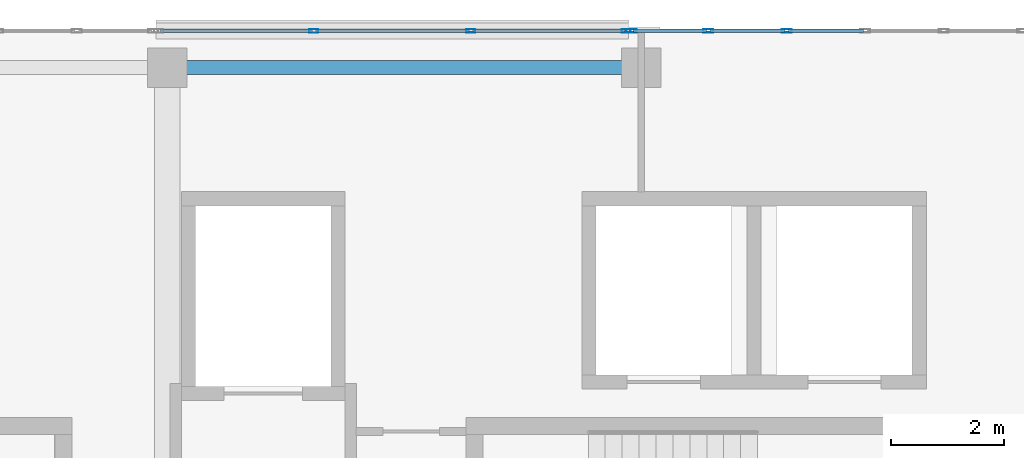
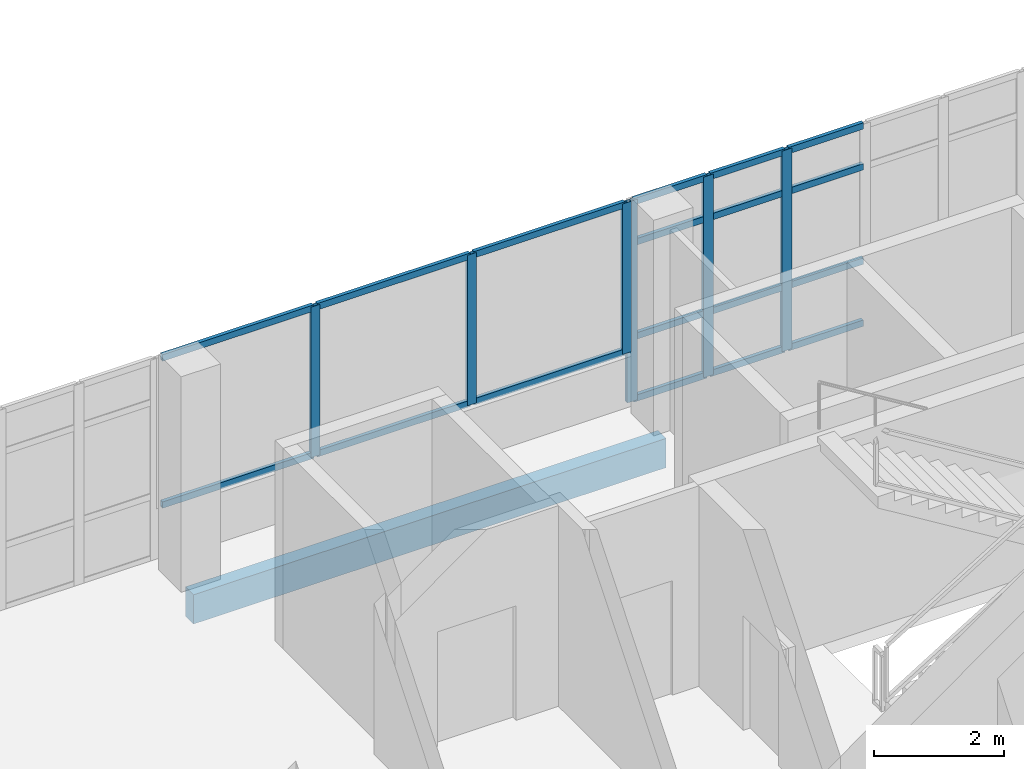
# One storey, part 48 of 101: 24 members, 1 beam, 2 elements without a shape of their own.
"""IFC4 building model written with IfcOpenShell, lengths in metres."""

import ifcopenshell
import ifcopenshell.guid

model = None  # the IFC model being written
_history = None  # IfcOwnerHistory: only IFC2X3 demands one
_inside = {}  # id of a spatial element -> (the spatial element, [elements in it])
_under = {}  # id of a project, library or spatial element -> (it, [spatial elements below it])
_declared = {}  # id of a project -> (the project, [libraries it declares])
_typed = {}  # id of a type object -> (the type object, [elements of that type])
_made_of = {}  # id of a material, layer set ... -> (it, [elements and type objects made of it])


def new_model(schema):
    """Start an empty IFC model of exactly this schema.

    Asked for "IFC4X3", IfcOpenShell would pick the latest addendum, in which some entities
    have other attributes; the version numbers below select the first issue.
    IFC2X3 requires an IfcOwnerHistory on every rooted entity: one is made here for all.
    """
    global model, _history
    if schema == "IFC4X3":
        model = ifcopenshell.file(schema_version=(4, 3, 0, 0))
    else:
        model = ifcopenshell.file(schema=schema)
    _inside.clear()
    _under.clear()
    _declared.clear()
    _typed.clear()
    _made_of.clear()
    _history = None
    if model.schema == "IFC2X3":
        org = make("IfcOrganization", Name="unknown")
        user = make(
            "IfcPersonAndOrganization",
            ThePerson=make("IfcPerson", FamilyName="unknown"),
            TheOrganization=org,
        )
        app = make(
            "IfcApplication",
            ApplicationDeveloper=org,
            Version="unknown",
            ApplicationFullName="unknown",
            ApplicationIdentifier="unknown",
        )
        _history = make(
            "IfcOwnerHistory",
            OwningUser=user,
            OwningApplication=app,
            ChangeAction="ADDED",
            CreationDate=0,
        )
    return model


def make(cls, **values):
    """One entity of the class cls with the attributes given. An attribute that is None is left unset."""
    return model.create_entity(
        cls, **{name: value for name, value in values.items() if value is not None}
    )


def rooted(cls, **values):
    """An entity with a GlobalId (a new one), such as an element, a storey or a relation."""
    return make(cls, GlobalId=ifcopenshell.guid.new(), OwnerHistory=_history, **values)


def si_unit(unit_type, name, prefix=None):
    """IfcSIUnit, for example si_unit("LENGTHUNIT", "METRE", prefix="MILLI")."""
    return make("IfcSIUnit", UnitType=unit_type, Prefix=prefix, Name=name)


def assignment(units):
    """IfcUnitAssignment: the units of a project."""
    return None if units is None else make("IfcUnitAssignment", Units=units)


def point(xyz):
    """IfcCartesianPoint."""
    return None if xyz is None else make("IfcCartesianPoint", Coordinates=xyz)


def direction(xyz):
    """IfcDirection."""
    return None if xyz is None else make("IfcDirection", DirectionRatios=xyz)


def frame(location, z_axis=None, x_axis=None):
    """IfcAxis2Placement3D, a coordinate frame: its origin and axes. An axis left out is left unset."""
    return make(
        "IfcAxis2Placement3D",
        Location=point(location),
        Axis=direction(z_axis),
        RefDirection=direction(x_axis),
    )


def frame_2d(location, x_axis=None):
    """IfcAxis2Placement2D, a coordinate frame in the plane: its origin and x axis."""
    return make(
        "IfcAxis2Placement2D", Location=point(location), RefDirection=direction(x_axis)
    )


def origin():
    """The frame at (0, 0, 0) with its axes left unset."""
    return frame((0.0, 0.0, 0.0))


def origin_2d():
    """The frame at (0, 0) in the plane with its x axis left unset."""
    return frame_2d((0.0, 0.0))


def place(relative_to, where):
    """IfcLocalPlacement: puts the frame where relative to a parent placement (None: the world)."""
    return make(
        "IfcLocalPlacement", PlacementRelTo=relative_to, RelativePlacement=where
    )


def context(
    kind, dimensions, precision=None, world=None, true_north=None, identifier=None
):
    """IfcGeometricRepresentationContext, for example the 3D "Model" context."""
    return make(
        "IfcGeometricRepresentationContext",
        ContextIdentifier=identifier,
        ContextType=kind,
        CoordinateSpaceDimension=dimensions,
        Precision=precision,
        WorldCoordinateSystem=world,
        TrueNorth=true_north,
    )


def subcontext(parent, identifier, kind, view, scale=None):
    """IfcGeometricRepresentationSubContext, for example "Body" below "Model"."""
    return make(
        "IfcGeometricRepresentationSubContext",
        ContextIdentifier=identifier,
        ContextType=kind,
        ParentContext=parent,
        TargetScale=scale,
        TargetView=view,
    )


def project(units=None, contexts=None):
    """IfcProject with its units and contexts."""
    return rooted(
        "IfcProject",
        Name="project",
        RepresentationContexts=contexts,
        UnitsInContext=assignment(units),
    )


def spatial(cls, under=None, at=None, **own):
    """A site, building, storey or space (cls), placed at a placement, below another one or the project."""
    s = rooted(cls, ObjectPlacement=at, **own)
    if under is not None:
        _under.setdefault(under.id(), (under, []))[1].append(s)
    return s


def profile(cls, at=None, kind="AREA", **sizes):
    """A parametric profile (cls). Its sizes go by their IFC names, for example OverallWidth=200.0."""
    return make(cls, ProfileType=kind, Position=at, **sizes)


def rectangle(**sizes):
    """IfcRectangleProfileDef."""
    return profile("IfcRectangleProfileDef", **sizes)


def hollow_rectangle(**sizes):
    """IfcRectangleHollowProfileDef."""
    return profile("IfcRectangleHollowProfileDef", **sizes)


def extrude(swept, where, along, depth):
    """IfcExtrudedAreaSolid: the profile swept, set in the frame where, extruded along a direction by depth."""
    return make(
        "IfcExtrudedAreaSolid",
        SweptArea=swept,
        Position=where,
        ExtrudedDirection=direction(along),
        Depth=depth,
    )


def shape(context_of_items, identifier, shape_type, items):
    """IfcShapeRepresentation: the items that make up one representation, for example the "Body"."""
    return make(
        "IfcShapeRepresentation",
        ContextOfItems=context_of_items,
        RepresentationIdentifier=identifier,
        RepresentationType=shape_type,
        Items=items,
    )


def material(Name=None, Category=None):
    """IfcMaterial."""
    return make("IfcMaterial", Name=Name, Category=Category)


def material_profile(
    of_material, cross_section, Name=None, Category=None, Priority=None
):
    """IfcMaterialProfile: a cross section and its material."""
    return make(
        "IfcMaterialProfile",
        Name=Name,
        Material=of_material,
        Profile=cross_section,
        Priority=Priority,
        Category=Category,
    )


def profile_set(profiles, Name=None, composite=None):
    """IfcMaterialProfileSet."""
    return make(
        "IfcMaterialProfileSet",
        Name=Name,
        MaterialProfiles=profiles,
        CompositeProfile=composite,
    )


def made_of(thing, what):
    """Note that an element or type object is made of a material, layer set ...; save() writes the relation."""
    if what is not None:
        _made_of.setdefault(what.id(), (what, []))[1].append(thing)
    return thing


def type_object(cls, material=None, **own):
    """A type object (cls), such as IfcWallType, which elements share."""
    return made_of(rooted(cls, **own), material)


def element(
    cls,
    number,
    at=None,
    inside=None,
    cuts=None,
    type_object=None,
    material=None,
    context=None,
    identifier="Body",
    shape_type=None,
    held_by="IfcProductDefinitionShape",
    body=None,
    shapes=None,
    **own,
):
    """One element of the class cls, such as IfcWall. Its Tag is "e" and its number.

    at: its placement. inside: the storey or other place that contains it. cuts: it is an
    opening in that element (IfcRelVoidsElement). A single representation is given by context,
    identifier, shape_type and body (its items); several are given by shapes. held_by: the class
    of the entity that holds the representations. save() writes the other relations.
    """
    e = rooted(cls, Tag="e%d" % number, ObjectPlacement=at, **own)
    if body is not None:
        shapes = [shape(context, identifier, shape_type, body)]
    if shapes is not None:
        e.Representation = make(held_by, Representations=shapes)
    if inside is not None:
        _inside.setdefault(inside.id(), (inside, []))[1].append(e)
    if cuts is not None:
        rooted(
            "IfcRelVoidsElement", RelatingBuildingElement=cuts, RelatedOpeningElement=e
        )
    if type_object is not None:
        _typed.setdefault(type_object.id(), (type_object, []))[1].append(e)
    return made_of(e, material)


def aggregate(whole, parts):
    """IfcRelAggregates: a whole, such as a stair, and the parts it consists of."""
    return rooted("IfcRelAggregates", RelatingObject=whole, RelatedObjects=parts)


def save(model, path):
    """Write the relations noted so far, then the file.

    IfcRelAggregates (storeys below a building ...), IfcRelContainedInSpatialStructure (elements
    in a storey), IfcRelDefinesByType, IfcRelAssociatesMaterial and IfcRelDeclares: one each for
    every whole, place, type object, material and project.
    """
    for whole, parts in _under.values():
        aggregate(whole, parts)
    for where, things in _inside.values():
        rooted(
            "IfcRelContainedInSpatialStructure",
            RelatedElements=things,
            RelatingStructure=where,
        )
    for kind, things in _typed.values():
        rooted("IfcRelDefinesByType", RelatedObjects=things, RelatingType=kind)
    for what, things in _made_of.values():
        rooted("IfcRelAssociatesMaterial", RelatedObjects=things, RelatingMaterial=what)
    for by, libraries in _declared.values():
        rooted("IfcRelDeclares", RelatingContext=by, RelatedDefinitions=libraries)
    model.write(path)


model = new_model("IFC4")

# Units and contexts
model_context = context("Model", 3, precision=1e-05, world=origin(), true_north=direction((0.0, 1.0)))
body_context = subcontext(model_context, "Body", "Model", "MODEL_VIEW")
ifc_project = project(units=[si_unit("LENGTHUNIT", "METRE"), si_unit("AREAUNIT", "SQUARE_METRE"), si_unit("VOLUMEUNIT", "CUBIC_METRE"), si_unit("PLANEANGLEUNIT", "RADIAN"), si_unit("MASSUNIT", "GRAM", prefix="KILO")], contexts=[model_context])

# Site, building, storey
site_placement = place(None, origin())
site = spatial("IfcSite", under=ifc_project, at=site_placement, CompositionType="ELEMENT")
building_placement = place(site_placement, origin())
building = spatial("IfcBuilding", under=site, at=building_placement, Name="Selatvlak General Hospital", CompositionType="ELEMENT")
storey_placement = place(building_placement, frame((0.0, 0.0, 19.199951171875)))
storey = spatial("IfcBuildingStorey", under=building, at=storey_placement, Name="L04", CompositionType="ELEMENT", Elevation=19.199951171875)

# Beam
ifc_material_1 = material(Name="Concrete C40/50", Category="concrete")
ifc_material_profile_1 = material_profile(ifc_material_1, rectangle(XDim=0.25, YDim=0.550048828125, at=origin_2d()), Name="RC-SP 250x550")
ifc_profile_set_1 = profile_set([ifc_material_profile_1], Name="Concrete C40/50")
beam_type = type_object("IfcBeamType", Name="BM-SP2", PredefinedType="SPANDREL", material=ifc_profile_set_1)
beam_placement = place(storey_placement, frame((98.39990234375, 119.35009765625, -0.579833984375), z_axis=(1.0, 0.0, 0.0), x_axis=(0.0, 1.0, 0.0)))
element("IfcBeam", 1, at=beam_placement, inside=storey, type_object=beam_type, Name="Beam BMR-L04-1635", PredefinedType="SPANDREL", context=body_context, shape_type="SweptSolid", body=[
    extrude(rectangle(XDim=0.25, YDim=0.550048828125, at=origin_2d()), origin(), (0.0, 0.0, 1.0), 8.400146484375),
])

# Curtain wall, members
ifc_material_2 = material(Name="Solar-control Low-E double glazing", Category="glass")
curtain_wall_type_1 = type_object("IfcCurtainWallType", Name="CW-CW-02", PredefinedType="USERDEFINED", material=ifc_material_2)
curtain_wall_1_placement = place(storey_placement, origin())
curtain_wall_1 = element("IfcCurtainWall", 2, at=curtain_wall_1_placement, inside=storey, type_object=curtain_wall_type_1, Name="Glazed facade curtain wall CW-L04-0490", ObjectType="UNITISED CURTAIN WALL", PredefinedType="USERDEFINED")
ifc_material_3 = material(Name="Dark anodised aluminium mullion", Category="aluminium")
ifc_material_profile_2 = material_profile(ifc_material_3, hollow_rectangle(XDim=0.06494140625, YDim=0.159912109375, WallThickness=0.00390625, at=origin_2d()), Name="AL-MUL 65x160x4")
ifc_profile_set_2 = profile_set([ifc_material_profile_2], Name="Dark anodised aluminium mullion")
member_type_1 = type_object("IfcMemberType", Name="CWM-01", PredefinedType="MULLION", material=ifc_profile_set_2)
member_1_placement = place(storey_placement, frame((100.998046875, 119.999267578125, 0.93994140625), z_axis=(0.0, 0.0, 1.0), x_axis=(-0.000119774825, 0.999999992827, 0.0)))
member_1 = element("IfcMember", 3, at=member_1_placement, type_object=member_type_1, Name="CW-02 mullion 2", PredefinedType="MULLION", context=body_context, shape_type="SweptSolid", body=[
    extrude(hollow_rectangle(XDim=0.06494140625, YDim=0.159912109375, WallThickness=0.00390625, at=origin_2d()), origin(), (0.0, 0.0, 1.0), 2.830078125),
])
member_2_placement = place(storey_placement, frame((103.781005859375, 119.999755859375, 0.93994140625), z_axis=(0.0, 0.0, 1.0), x_axis=(-0.000119774825, 0.999999992827, 0.0)))
member_2 = element("IfcMember", 4, at=member_2_placement, type_object=member_type_1, Name="CW-02 mullion 3", PredefinedType="MULLION", context=body_context, shape_type="SweptSolid", body=[
    extrude(hollow_rectangle(XDim=0.06494140625, YDim=0.159912109375, WallThickness=0.00390625, at=origin_2d()), origin(), (0.0, 0.0, 1.0), 2.830078125),
])
member_3_placement = place(storey_placement, frame((106.531494140625, 120.0, 0.93994140625), z_axis=(0.0, 0.0, 1.0), x_axis=(-0.000119774825, 0.999999992827, 0.0)))
member_3 = element("IfcMember", 5, at=member_3_placement, type_object=member_type_1, Name="CW-02 mullion 4", PredefinedType="MULLION", context=body_context, shape_type="SweptSolid", body=[
    extrude(hollow_rectangle(XDim=0.06494140625, YDim=0.159912109375, WallThickness=0.00390625, at=origin_2d()), origin(), (0.0, 0.0, 1.0), 2.830078125),
])

curtain_wall_type_2 = type_object("IfcCurtainWallType", Name="CW-CW-04", PredefinedType="USERDEFINED", material=ifc_material_2)
curtain_wall_2_placement = place(storey_placement, origin())
curtain_wall_2 = element("IfcCurtainWall", 6, at=curtain_wall_2_placement, inside=storey, type_object=curtain_wall_type_2, Name="Glazed facade curtain wall CW-L04-0491", ObjectType="STICK GLAZING WALL", PredefinedType="USERDEFINED")
ifc_material_profile_3 = material_profile(ifc_material_3, hollow_rectangle(XDim=0.06494140625, YDim=0.179931640625, WallThickness=0.00439453125, at=origin_2d()), Name="AL-MUL 65x180x4.5")
ifc_profile_set_3 = profile_set([ifc_material_profile_3], Name="Dark anodised aluminium mullion")
member_type_2 = type_object("IfcMemberType", Name="CWM-02", PredefinedType="MULLION", material=ifc_profile_set_3)
member_4_placement = place(storey_placement, frame((106.62646484375, 120.0, 0.0), z_axis=(0.0, 0.0, 1.0), x_axis=(0.0, 1.0, 0.0)))
member_4 = element("IfcMember", 7, at=member_4_placement, type_object=member_type_2, Name="CW-04 mullion 1", PredefinedType="MULLION", context=body_context, shape_type="SweptSolid", body=[
    extrude(hollow_rectangle(XDim=0.06494140625, YDim=0.179931640625, WallThickness=0.00439453125, at=origin_2d()), origin(), (0.0, 0.0, 1.0), 3.77001953125),
])
member_5_placement = place(storey_placement, frame((107.985595703125, 120.0, 0.0), z_axis=(0.0, 0.0, 1.0), x_axis=(0.0, 1.0, 0.0)))
member_5 = element("IfcMember", 8, at=member_5_placement, type_object=member_type_2, Name="CW-04 mullion 2", PredefinedType="MULLION", context=body_context, shape_type="SweptSolid", body=[
    extrude(hollow_rectangle(XDim=0.06494140625, YDim=0.179931640625, WallThickness=0.00439453125, at=origin_2d()), origin(), (0.0, 0.0, 1.0), 3.77001953125),
])
member_6_placement = place(storey_placement, frame((109.37744140625, 120.0, 0.0), z_axis=(0.0, 0.0, 1.0), x_axis=(0.0, 1.0, 0.0)))
member_6 = element("IfcMember", 9, at=member_6_placement, type_object=member_type_2, Name="CW-04 mullion 3", PredefinedType="MULLION", context=body_context, shape_type="SweptSolid", body=[
    extrude(hollow_rectangle(XDim=0.06494140625, YDim=0.179931640625, WallThickness=0.00439453125, at=origin_2d()), origin(), (0.0, 0.0, 1.0), 3.77001953125),
])

# Member
ifc_material_profile_4 = material_profile(ifc_material_3, hollow_rectangle(XDim=0.06494140625, YDim=0.1201171875, WallThickness=0.00390625, at=origin_2d()), Name="AL-TRN 65x120x4")
ifc_profile_set_4 = profile_set([ifc_material_profile_4], Name="Dark anodised aluminium mullion")
member_type_3 = type_object("IfcMemberType", Name="CWT-01", PredefinedType="USERDEFINED", material=ifc_profile_set_4)
member_7_placement = place(storey_placement, frame((98.280029296875, 119.9990234375, 0.97265625), z_axis=(0.999999995868, 9.0909091e-05, 0.0), x_axis=(-9.0909091e-05, 0.999999995868, 0.0)))
member_7 = element("IfcMember", 10, at=member_7_placement, type_object=member_type_3, Name="CW-02 transom 1.1", ObjectType="TRANSOM", PredefinedType="USERDEFINED", context=body_context, shape_type="SweptSolid", body=[
    extrude(hollow_rectangle(XDim=0.06494140625, YDim=0.1201171875, WallThickness=0.00390625, at=origin_2d()), origin(), (0.0, 0.0, 1.0), 2.685546875),
])

member_8_placement = place(storey_placement, frame((98.280029296875, 119.9990234375, 3.737548828125), z_axis=(0.999999995868, 9.0909091e-05, 0.0), x_axis=(-9.0909091e-05, 0.999999995868, 0.0)))
member_8 = element("IfcMember", 11, at=member_8_placement, type_object=member_type_3, Name="CW-02 transom 1.2", ObjectType="TRANSOM", PredefinedType="USERDEFINED", context=body_context, shape_type="SweptSolid", body=[
    extrude(hollow_rectangle(XDim=0.06494140625, YDim=0.1201171875, WallThickness=0.00390625, at=origin_2d()), origin(), (0.0, 0.0, 1.0), 2.685546875),
])

member_9_placement = place(storey_placement, frame((101.030517578125, 119.999267578125, 0.97265625), z_axis=(0.999999983864, 0.000179646094, 0.0), x_axis=(-0.000179646094, 0.999999983864, 0.0)))
member_9 = element("IfcMember", 12, at=member_9_placement, type_object=member_type_3, Name="CW-02 transom 2.1", ObjectType="TRANSOM", PredefinedType="USERDEFINED", context=body_context, shape_type="SweptSolid", body=[
    extrude(hollow_rectangle(XDim=0.06494140625, YDim=0.1201171875, WallThickness=0.00390625, at=origin_2d()), origin(), (0.0, 0.0, 1.0), 2.718017578125),
])

member_10_placement = place(storey_placement, frame((101.030517578125, 119.999267578125, 3.737548828125), z_axis=(0.999999983864, 0.000179646094, 0.0), x_axis=(-0.000179646094, 0.999999983864, 0.0)))
member_10 = element("IfcMember", 13, at=member_10_placement, type_object=member_type_3, Name="CW-02 transom 2.2", ObjectType="TRANSOM", PredefinedType="USERDEFINED", context=body_context, shape_type="SweptSolid", body=[
    extrude(hollow_rectangle(XDim=0.06494140625, YDim=0.1201171875, WallThickness=0.00390625, at=origin_2d()), origin(), (0.0, 0.0, 1.0), 2.718017578125),
])

member_11_placement = place(storey_placement, frame((103.8134765625, 119.999755859375, 0.97265625), z_axis=(0.999999995868, 9.0909091e-05, 0.0), x_axis=(-9.0909091e-05, 0.999999995868, 0.0)))
member_11 = element("IfcMember", 14, at=member_11_placement, type_object=member_type_3, Name="CW-02 transom 3.1", ObjectType="TRANSOM", PredefinedType="USERDEFINED", context=body_context, shape_type="SweptSolid", body=[
    extrude(hollow_rectangle(XDim=0.06494140625, YDim=0.1201171875, WallThickness=0.00390625, at=origin_2d()), origin(), (0.0, 0.0, 1.0), 2.685546875),
])

member_12_placement = place(storey_placement, frame((103.8134765625, 119.999755859375, 3.737548828125), z_axis=(0.999999995868, 9.0909091e-05, 0.0), x_axis=(-9.0909091e-05, 0.999999995868, 0.0)))
member_12 = element("IfcMember", 15, at=member_12_placement, type_object=member_type_3, Name="CW-02 transom 3.2", ObjectType="TRANSOM", PredefinedType="USERDEFINED", context=body_context, shape_type="SweptSolid", body=[
    extrude(hollow_rectangle(XDim=0.06494140625, YDim=0.1201171875, WallThickness=0.00390625, at=origin_2d()), origin(), (0.0, 0.0, 1.0), 2.685546875),
])

aggregate(curtain_wall_1, [member_1, member_2, member_3, member_7, member_8, member_9, member_10, member_11, member_12])

member_13_placement = place(storey_placement, frame((106.658935546875, 120.0, 0.032470703125), z_axis=(1.0, 0.0, 0.0), x_axis=(0.0, 1.0, 0.0)))
member_13 = element("IfcMember", 16, at=member_13_placement, type_object=member_type_3, Name="CW-04 transom 1.1", ObjectType="TRANSOM", PredefinedType="USERDEFINED", context=body_context, shape_type="SweptSolid", body=[
    extrude(hollow_rectangle(XDim=0.06494140625, YDim=0.1201171875, WallThickness=0.00390625, at=origin_2d()), origin(), (0.0, 0.0, 1.0), 1.294189453125),
])

member_14_placement = place(storey_placement, frame((106.658935546875, 120.0, 1.199951171875), z_axis=(1.0, 0.0, 0.0), x_axis=(0.0, 1.0, 0.0)))
member_14 = element("IfcMember", 17, at=member_14_placement, type_object=member_type_3, Name="CW-04 transom 1.2", ObjectType="TRANSOM", PredefinedType="USERDEFINED", context=body_context, shape_type="SweptSolid", body=[
    extrude(hollow_rectangle(XDim=0.06494140625, YDim=0.1201171875, WallThickness=0.00390625, at=origin_2d()), origin(), (0.0, 0.0, 1.0), 1.294189453125),
])

member_15_placement = place(storey_placement, frame((106.658935546875, 120.0, 2.969970703125), z_axis=(1.0, 0.0, 0.0), x_axis=(0.0, 1.0, 0.0)))
member_15 = element("IfcMember", 18, at=member_15_placement, type_object=member_type_3, Name="CW-04 transom 1.3", ObjectType="TRANSOM", PredefinedType="USERDEFINED", context=body_context, shape_type="SweptSolid", body=[
    extrude(hollow_rectangle(XDim=0.06494140625, YDim=0.1201171875, WallThickness=0.00390625, at=origin_2d()), origin(), (0.0, 0.0, 1.0), 1.294189453125),
])

member_16_placement = place(storey_placement, frame((106.658935546875, 120.0, 3.737548828125), z_axis=(1.0, 0.0, 0.0), x_axis=(0.0, 1.0, 0.0)))
member_16 = element("IfcMember", 19, at=member_16_placement, type_object=member_type_3, Name="CW-04 transom 1.4", ObjectType="TRANSOM", PredefinedType="USERDEFINED", context=body_context, shape_type="SweptSolid", body=[
    extrude(hollow_rectangle(XDim=0.06494140625, YDim=0.1201171875, WallThickness=0.00390625, at=origin_2d()), origin(), (0.0, 0.0, 1.0), 1.294189453125),
])

member_17_placement = place(storey_placement, frame((108.01806640625, 120.0, 0.032470703125), z_axis=(1.0, 0.0, 0.0), x_axis=(0.0, 1.0, 0.0)))
member_17 = element("IfcMember", 20, at=member_17_placement, type_object=member_type_3, Name="CW-04 transom 2.1", ObjectType="TRANSOM", PredefinedType="USERDEFINED", context=body_context, shape_type="SweptSolid", body=[
    extrude(hollow_rectangle(XDim=0.06494140625, YDim=0.1201171875, WallThickness=0.00390625, at=origin_2d()), origin(), (0.0, 0.0, 1.0), 1.32666015625),
])

member_18_placement = place(storey_placement, frame((108.01806640625, 120.0, 1.199951171875), z_axis=(1.0, 0.0, 0.0), x_axis=(0.0, 1.0, 0.0)))
member_18 = element("IfcMember", 21, at=member_18_placement, type_object=member_type_3, Name="CW-04 transom 2.2", ObjectType="TRANSOM", PredefinedType="USERDEFINED", context=body_context, shape_type="SweptSolid", body=[
    extrude(hollow_rectangle(XDim=0.06494140625, YDim=0.1201171875, WallThickness=0.00390625, at=origin_2d()), origin(), (0.0, 0.0, 1.0), 1.32666015625),
])

member_19_placement = place(storey_placement, frame((108.01806640625, 120.0, 2.969970703125), z_axis=(1.0, 0.0, 0.0), x_axis=(0.0, 1.0, 0.0)))
member_19 = element("IfcMember", 22, at=member_19_placement, type_object=member_type_3, Name="CW-04 transom 2.3", ObjectType="TRANSOM", PredefinedType="USERDEFINED", context=body_context, shape_type="SweptSolid", body=[
    extrude(hollow_rectangle(XDim=0.06494140625, YDim=0.1201171875, WallThickness=0.00390625, at=origin_2d()), origin(), (0.0, 0.0, 1.0), 1.32666015625),
])

member_20_placement = place(storey_placement, frame((108.01806640625, 120.0, 3.737548828125), z_axis=(1.0, 0.0, 0.0), x_axis=(0.0, 1.0, 0.0)))
member_20 = element("IfcMember", 23, at=member_20_placement, type_object=member_type_3, Name="CW-04 transom 2.4", ObjectType="TRANSOM", PredefinedType="USERDEFINED", context=body_context, shape_type="SweptSolid", body=[
    extrude(hollow_rectangle(XDim=0.06494140625, YDim=0.1201171875, WallThickness=0.00390625, at=origin_2d()), origin(), (0.0, 0.0, 1.0), 1.32666015625),
])

member_21_placement = place(storey_placement, frame((109.409912109375, 120.0, 0.032470703125), z_axis=(1.0, 0.0, 0.0), x_axis=(0.0, 1.0, 0.0)))
member_21 = element("IfcMember", 24, at=member_21_placement, type_object=member_type_3, Name="CW-04 transom 3.1", ObjectType="TRANSOM", PredefinedType="USERDEFINED", context=body_context, shape_type="SweptSolid", body=[
    extrude(hollow_rectangle(XDim=0.06494140625, YDim=0.1201171875, WallThickness=0.00390625, at=origin_2d()), origin(), (0.0, 0.0, 1.0), 1.32666015625),
])

member_22_placement = place(storey_placement, frame((109.409912109375, 120.0, 1.199951171875), z_axis=(1.0, 0.0, 0.0), x_axis=(0.0, 1.0, 0.0)))
member_22 = element("IfcMember", 25, at=member_22_placement, type_object=member_type_3, Name="CW-04 transom 3.2", ObjectType="TRANSOM", PredefinedType="USERDEFINED", context=body_context, shape_type="SweptSolid", body=[
    extrude(hollow_rectangle(XDim=0.06494140625, YDim=0.1201171875, WallThickness=0.00390625, at=origin_2d()), origin(), (0.0, 0.0, 1.0), 1.32666015625),
])

member_23_placement = place(storey_placement, frame((109.409912109375, 120.0, 2.969970703125), z_axis=(1.0, 0.0, 0.0), x_axis=(0.0, 1.0, 0.0)))
member_23 = element("IfcMember", 26, at=member_23_placement, type_object=member_type_3, Name="CW-04 transom 3.3", ObjectType="TRANSOM", PredefinedType="USERDEFINED", context=body_context, shape_type="SweptSolid", body=[
    extrude(hollow_rectangle(XDim=0.06494140625, YDim=0.1201171875, WallThickness=0.00390625, at=origin_2d()), origin(), (0.0, 0.0, 1.0), 1.32666015625),
])

member_24_placement = place(storey_placement, frame((109.409912109375, 120.0, 3.737548828125), z_axis=(1.0, 0.0, 0.0), x_axis=(0.0, 1.0, 0.0)))
member_24 = element("IfcMember", 27, at=member_24_placement, type_object=member_type_3, Name="CW-04 transom 3.4", ObjectType="TRANSOM", PredefinedType="USERDEFINED", context=body_context, shape_type="SweptSolid", body=[
    extrude(hollow_rectangle(XDim=0.06494140625, YDim=0.1201171875, WallThickness=0.00390625, at=origin_2d()), origin(), (0.0, 0.0, 1.0), 1.32666015625),
])

aggregate(curtain_wall_2, [member_4, member_5, member_6, member_13, member_14, member_15, member_16, member_17, member_18, member_19, member_20, member_21, member_22, member_23, member_24])

save(model, "model.ifc")
